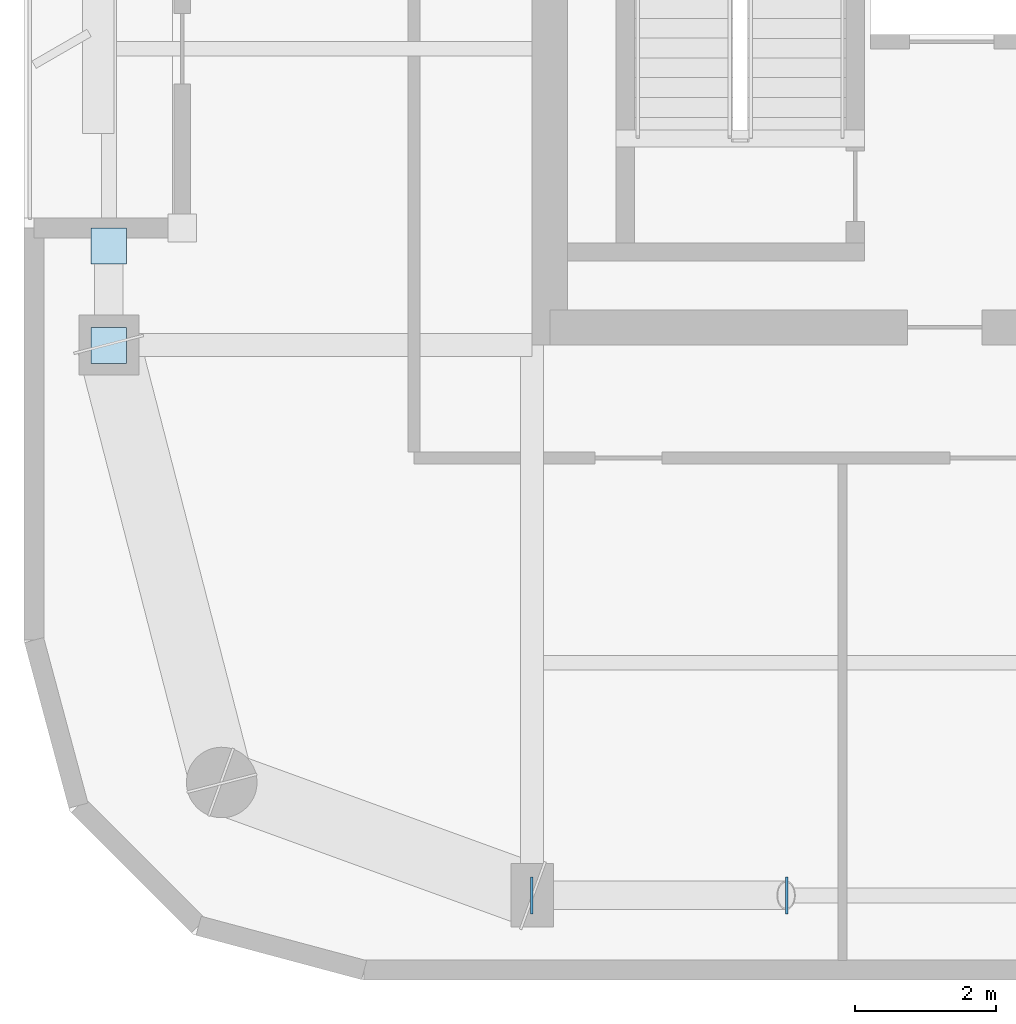
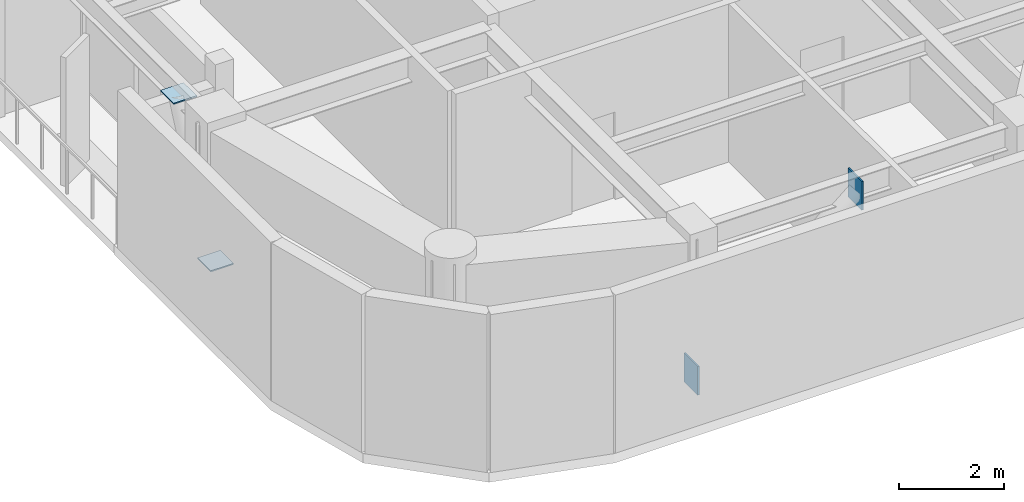
# One storey, part 8 of 15: 4 plates.
"""IFC4 building model written with IfcOpenShell, lengths in metres."""

import ifcopenshell
import ifcopenshell.guid

model = None  # the IFC model being written
_history = None  # IfcOwnerHistory: only IFC2X3 demands one
_inside = {}  # id of a spatial element -> (the spatial element, [elements in it])
_under = {}  # id of a project, library or spatial element -> (it, [spatial elements below it])
_declared = {}  # id of a project -> (the project, [libraries it declares])
_typed = {}  # id of a type object -> (the type object, [elements of that type])
_made_of = {}  # id of a material, layer set ... -> (it, [elements and type objects made of it])


def new_model(schema):
    """Start an empty IFC model of exactly this schema.

    Asked for "IFC4X3", IfcOpenShell would pick the latest addendum, in which some entities
    have other attributes; the version numbers below select the first issue.
    IFC2X3 requires an IfcOwnerHistory on every rooted entity: one is made here for all.
    """
    global model, _history
    if schema == "IFC4X3":
        model = ifcopenshell.file(schema_version=(4, 3, 0, 0))
    else:
        model = ifcopenshell.file(schema=schema)
    _inside.clear()
    _under.clear()
    _declared.clear()
    _typed.clear()
    _made_of.clear()
    _history = None
    if model.schema == "IFC2X3":
        org = make("IfcOrganization", Name="unknown")
        user = make(
            "IfcPersonAndOrganization",
            ThePerson=make("IfcPerson", FamilyName="unknown"),
            TheOrganization=org,
        )
        app = make(
            "IfcApplication",
            ApplicationDeveloper=org,
            Version="unknown",
            ApplicationFullName="unknown",
            ApplicationIdentifier="unknown",
        )
        _history = make(
            "IfcOwnerHistory",
            OwningUser=user,
            OwningApplication=app,
            ChangeAction="ADDED",
            CreationDate=0,
        )
    return model


def make(cls, **values):
    """One entity of the class cls with the attributes given. An attribute that is None is left unset."""
    return model.create_entity(
        cls, **{name: value for name, value in values.items() if value is not None}
    )


def rooted(cls, **values):
    """An entity with a GlobalId (a new one), such as an element, a storey or a relation."""
    return make(cls, GlobalId=ifcopenshell.guid.new(), OwnerHistory=_history, **values)


def si_unit(unit_type, name, prefix=None):
    """IfcSIUnit, for example si_unit("LENGTHUNIT", "METRE", prefix="MILLI")."""
    return make("IfcSIUnit", UnitType=unit_type, Prefix=prefix, Name=name)


def assignment(units):
    """IfcUnitAssignment: the units of a project."""
    return None if units is None else make("IfcUnitAssignment", Units=units)


def point(xyz):
    """IfcCartesianPoint."""
    return None if xyz is None else make("IfcCartesianPoint", Coordinates=xyz)


def direction(xyz):
    """IfcDirection."""
    return None if xyz is None else make("IfcDirection", DirectionRatios=xyz)


def frame(location, z_axis=None, x_axis=None):
    """IfcAxis2Placement3D, a coordinate frame: its origin and axes. An axis left out is left unset."""
    return make(
        "IfcAxis2Placement3D",
        Location=point(location),
        Axis=direction(z_axis),
        RefDirection=direction(x_axis),
    )


def frame_2d(location, x_axis=None):
    """IfcAxis2Placement2D, a coordinate frame in the plane: its origin and x axis."""
    return make(
        "IfcAxis2Placement2D", Location=point(location), RefDirection=direction(x_axis)
    )


def origin():
    """The frame at (0, 0, 0) with its axes left unset."""
    return frame((0.0, 0.0, 0.0))


def origin_2d():
    """The frame at (0, 0) in the plane with its x axis left unset."""
    return frame_2d((0.0, 0.0))


def place(relative_to, where):
    """IfcLocalPlacement: puts the frame where relative to a parent placement (None: the world)."""
    return make(
        "IfcLocalPlacement", PlacementRelTo=relative_to, RelativePlacement=where
    )


def context(
    kind, dimensions, precision=None, world=None, true_north=None, identifier=None
):
    """IfcGeometricRepresentationContext, for example the 3D "Model" context."""
    return make(
        "IfcGeometricRepresentationContext",
        ContextIdentifier=identifier,
        ContextType=kind,
        CoordinateSpaceDimension=dimensions,
        Precision=precision,
        WorldCoordinateSystem=world,
        TrueNorth=true_north,
    )


def subcontext(parent, identifier, kind, view, scale=None):
    """IfcGeometricRepresentationSubContext, for example "Body" below "Model"."""
    return make(
        "IfcGeometricRepresentationSubContext",
        ContextIdentifier=identifier,
        ContextType=kind,
        ParentContext=parent,
        TargetScale=scale,
        TargetView=view,
    )


def project(units=None, contexts=None):
    """IfcProject with its units and contexts."""
    return rooted(
        "IfcProject",
        Name="project",
        RepresentationContexts=contexts,
        UnitsInContext=assignment(units),
    )


def spatial(cls, under=None, at=None, **own):
    """A site, building, storey or space (cls), placed at a placement, below another one or the project."""
    s = rooted(cls, ObjectPlacement=at, **own)
    if under is not None:
        _under.setdefault(under.id(), (under, []))[1].append(s)
    return s


def profile(cls, at=None, kind="AREA", **sizes):
    """A parametric profile (cls). Its sizes go by their IFC names, for example OverallWidth=200.0."""
    return make(cls, ProfileType=kind, Position=at, **sizes)


def rectangle(**sizes):
    """IfcRectangleProfileDef."""
    return profile("IfcRectangleProfileDef", **sizes)


def extrude(swept, where, along, depth):
    """IfcExtrudedAreaSolid: the profile swept, set in the frame where, extruded along a direction by depth."""
    return make(
        "IfcExtrudedAreaSolid",
        SweptArea=swept,
        Position=where,
        ExtrudedDirection=direction(along),
        Depth=depth,
    )


def shape(context_of_items, identifier, shape_type, items):
    """IfcShapeRepresentation: the items that make up one representation, for example the "Body"."""
    return make(
        "IfcShapeRepresentation",
        ContextOfItems=context_of_items,
        RepresentationIdentifier=identifier,
        RepresentationType=shape_type,
        Items=items,
    )


def material(Name=None, Category=None):
    """IfcMaterial."""
    return make("IfcMaterial", Name=Name, Category=Category)


def layer(
    of_material, thickness, ventilated=None, Name=None, Category=None, Priority=None
):
    """IfcMaterialLayer: one layer of a wall or slab, of a material (None: an air gap)."""
    return make(
        "IfcMaterialLayer",
        Material=of_material,
        LayerThickness=thickness,
        IsVentilated=ventilated,
        Name=Name,
        Category=Category,
        Priority=Priority,
    )


def layer_set(layers, Name=None):
    """IfcMaterialLayerSet."""
    return make("IfcMaterialLayerSet", MaterialLayers=layers, LayerSetName=Name)


def made_of(thing, what):
    """Note that an element or type object is made of a material, layer set ...; save() writes the relation."""
    if what is not None:
        _made_of.setdefault(what.id(), (what, []))[1].append(thing)
    return thing


def type_object(cls, material=None, **own):
    """A type object (cls), such as IfcWallType, which elements share."""
    return made_of(rooted(cls, **own), material)


def element(
    cls,
    number,
    at=None,
    inside=None,
    cuts=None,
    type_object=None,
    material=None,
    context=None,
    identifier="Body",
    shape_type=None,
    held_by="IfcProductDefinitionShape",
    body=None,
    shapes=None,
    **own,
):
    """One element of the class cls, such as IfcWall. Its Tag is "e" and its number.

    at: its placement. inside: the storey or other place that contains it. cuts: it is an
    opening in that element (IfcRelVoidsElement). A single representation is given by context,
    identifier, shape_type and body (its items); several are given by shapes. held_by: the class
    of the entity that holds the representations. save() writes the other relations.
    """
    e = rooted(cls, Tag="e%d" % number, ObjectPlacement=at, **own)
    if body is not None:
        shapes = [shape(context, identifier, shape_type, body)]
    if shapes is not None:
        e.Representation = make(held_by, Representations=shapes)
    if inside is not None:
        _inside.setdefault(inside.id(), (inside, []))[1].append(e)
    if cuts is not None:
        rooted(
            "IfcRelVoidsElement", RelatingBuildingElement=cuts, RelatedOpeningElement=e
        )
    if type_object is not None:
        _typed.setdefault(type_object.id(), (type_object, []))[1].append(e)
    return made_of(e, material)


def aggregate(whole, parts):
    """IfcRelAggregates: a whole, such as a stair, and the parts it consists of."""
    return rooted("IfcRelAggregates", RelatingObject=whole, RelatedObjects=parts)


def save(model, path):
    """Write the relations noted so far, then the file.

    IfcRelAggregates (storeys below a building ...), IfcRelContainedInSpatialStructure (elements
    in a storey), IfcRelDefinesByType, IfcRelAssociatesMaterial and IfcRelDeclares: one each for
    every whole, place, type object, material and project.
    """
    for whole, parts in _under.values():
        aggregate(whole, parts)
    for where, things in _inside.values():
        rooted(
            "IfcRelContainedInSpatialStructure",
            RelatedElements=things,
            RelatingStructure=where,
        )
    for kind, things in _typed.values():
        rooted("IfcRelDefinesByType", RelatedObjects=things, RelatingType=kind)
    for what, things in _made_of.values():
        rooted("IfcRelAssociatesMaterial", RelatedObjects=things, RelatingMaterial=what)
    for by, libraries in _declared.values():
        rooted("IfcRelDeclares", RelatingContext=by, RelatedDefinitions=libraries)
    model.write(path)


model = new_model("IFC4")

# Units and contexts
model_context = context("Model", 3, precision=1e-05, world=origin(), true_north=direction((0.0, 1.0)))
body_context = subcontext(model_context, "Body", "Model", "MODEL_VIEW")
ifc_project = project(units=[si_unit("LENGTHUNIT", "METRE"), si_unit("AREAUNIT", "SQUARE_METRE"), si_unit("VOLUMEUNIT", "CUBIC_METRE"), si_unit("PLANEANGLEUNIT", "RADIAN"), si_unit("MASSUNIT", "GRAM", prefix="KILO")], contexts=[model_context])

# Site, building, storey
site_placement = place(None, origin())
site = spatial("IfcSite", under=ifc_project, at=site_placement, CompositionType="ELEMENT")
building_placement = place(site_placement, origin())
building = spatial("IfcBuilding", under=site, at=building_placement, Name="Kiyonajd Concourse Tower", CompositionType="ELEMENT")
storey_placement = place(building_placement, frame((0.0, 0.0, 321.89990234375)))
storey = spatial("IfcBuildingStorey", under=building, at=storey_placement, Name="L81", CompositionType="ELEMENT", Elevation=321.89990234375)

# Plates
ifc_material = material(Name="Steel ASTM A572 Grade 50", Category="steel")
ifc_layer = layer(ifc_material, 0.028076171875)
ifc_layer_set = layer_set([ifc_layer], Name="Steel ASTM A572 Grade 50")
plate_type = type_object("IfcPlateType", Name="PL-CAP-450", PredefinedType="USERDEFINED", material=ifc_layer_set)
for number, where, z_axis, x_axis, name in (
    (1, (32.3916015625, 19.800048828125, -0.04248046875), (0.0, 0.0, 1.0), (-1.0, 0.0, 0.0), "L81 Hollow Brace End Cap Plate PBS"),
    (2, (36.00830078125, 19.800048828125, 3.001708984375), (0.0, 0.0, 1.0), (1.0, 0.0, 0.0), "L81 Hollow Brace Top Cap Plate PBS"),
):
    element("IfcPlate", number, at=place(storey_placement, frame(where, z_axis=z_axis, x_axis=x_axis)), inside=storey, type_object=plate_type, Name=name, ObjectType="CAP PLATE", PredefinedType="USERDEFINED", context=body_context, shape_type="SweptSolid", body=[
        extrude(rectangle(XDim=0.035888671875, YDim=0.52587890625, at=origin_2d()), origin(), (0.0, 0.0, 1.0), 0.6708984375),
    ])
for number, where, z_axis, x_axis, name in (
    (3, (26.39990234375, 27.595458984375, 0.27587890625), (0.0, 0.0, 1.0), (1.0, 0.0, 0.0), "L81 Hollow Brace End Cap Plate PBW"),
    (4, (26.39990234375, 29.004638671875, 3.326171875), (0.0, 0.0, 1.0), (1.0, 0.0, 0.0), "L81 Hollow Brace Top Cap Plate PBW"),
):
    element("IfcPlate", number, at=place(storey_placement, frame(where, z_axis=z_axis, x_axis=x_axis)), inside=storey, type_object=plate_type, Name=name, ObjectType="CAP PLATE", PredefinedType="USERDEFINED", context=body_context, shape_type="SweptSolid", body=[
        extrude(rectangle(XDim=0.506103515625, YDim=0.506103515625, at=origin_2d()), origin(), (0.0, 0.0, 1.0), 0.028076171875),
    ])

save(model, "model.ifc")
